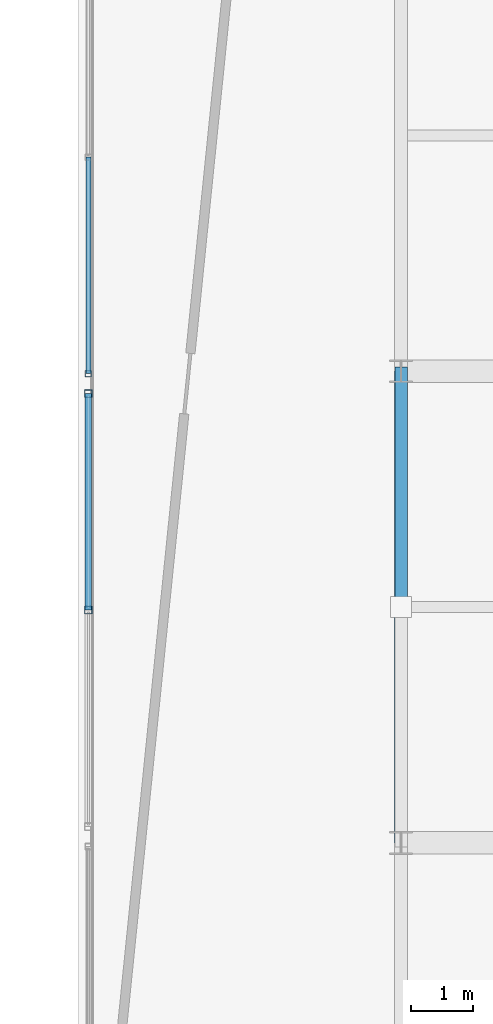
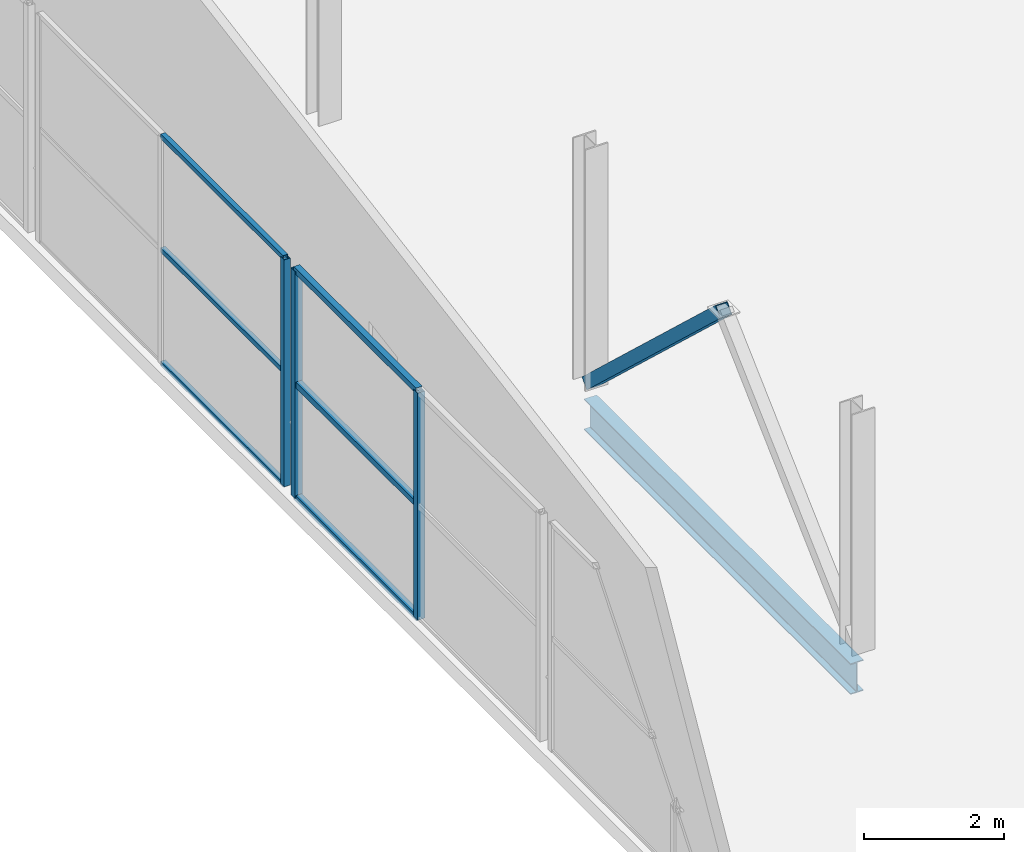
# One storey, part 147 of 217: 10 members, 1 beam, 2 elements without a shape of their own.
"""IFC4 building model written with IfcOpenShell, lengths in metres."""

from ifc_helpers import new_model, si_unit, direction, frame, origin, origin_2d, place, context, subcontext, project, spatial, hollow_rectangle, i_section, extrude, material, material_profile, profile_set, type_object, element, aggregate, save


model = new_model("IFC4")

# Units and contexts
model_context = context("Model", 3, precision=1e-05, world=origin(), true_north=direction((0.0, 1.0)))
body_context = subcontext(model_context, "Body", "Model", "MODEL_VIEW")
ifc_project = project(units=[si_unit("LENGTHUNIT", "METRE"), si_unit("AREAUNIT", "SQUARE_METRE"), si_unit("VOLUMEUNIT", "CUBIC_METRE"), si_unit("PLANEANGLEUNIT", "RADIAN"), si_unit("MASSUNIT", "GRAM", prefix="KILO")], contexts=[model_context])

# Site, building, storey
site_placement = place(None, origin())
site = spatial("IfcSite", under=ifc_project, at=site_placement, CompositionType="ELEMENT")
building_placement = place(site_placement, origin())
building = spatial("IfcBuilding", under=site, at=building_placement, Name="Zuvorla Pavilion Media Centre", CompositionType="ELEMENT")
storey_placement = place(building_placement, frame((0.0, 0.0, 9.60009765625)))
storey = spatial("IfcBuildingStorey", under=building, at=storey_placement, Name="L02", CompositionType="ELEMENT", Elevation=9.60009765625)

# Beam
ifc_material_1 = material(Name="Steel S355", Category="steel")
ifc_material_profile_1 = material_profile(ifc_material_1, i_section(OverallWidth=0.2099609375, OverallDepth=0.53662109375, WebThickness=0.0107421875, FlangeThickness=0.017333984375, FilletRadius=0.0126953125, at=origin_2d()), Name="UB 533x210x101")
ifc_profile_set_1 = profile_set([ifc_material_profile_1], Name="Steel S355")
beam_type = type_object("IfcBeamType", Name="BM-UB533", PredefinedType="BEAM", material=ifc_profile_set_1)
beam_placement = place(storey_placement, frame((159.199951171875, 59.199951171875, -0.536376953125), z_axis=(0.0, 1.0, 0.0), x_axis=(-1.0, 0.0, 0.0)))
element("IfcBeam", 1, at=beam_placement, inside=storey, type_object=beam_type, Name="L02 beam B08 973", PredefinedType="BEAM", context=body_context, shape_type="SweptSolid", body=[
    extrude(i_section(OverallWidth=0.2099609375, OverallDepth=0.53662109375, WebThickness=0.0107421875, FlangeThickness=0.017333984375, FilletRadius=0.0126953125, at=origin_2d()), origin(), (0.0, 0.0, 1.0), 7.60009765625),
])

# Curtain wall, member
ifc_material_2 = material(Name="Unitised anodised aluminium and solar glass curtain wall", Category="aluminium")
curtain_wall_type_1 = type_object("IfcCurtainWallType", Name="CW-SYS-57", PredefinedType="USERDEFINED", material=ifc_material_2)
curtain_wall_1_placement = place(storey_placement, origin())
curtain_wall_1 = element("IfcCurtainWall", 2, at=curtain_wall_1_placement, inside=storey, type_object=curtain_wall_type_1, Name="L02 curtain wall CW57 92", ObjectType="CURTAIN WALL", PredefinedType="USERDEFINED")
ifc_material_3 = material(Name="Anodised aluminium 6063-T6", Category="aluminium")
ifc_material_profile_2 = material_profile(ifc_material_3, hollow_rectangle(XDim=0.10009765625, YDim=0.10009765625, WallThickness=0.00439453125, at=origin_2d()), Name="ALU MULL 100x100")
ifc_profile_set_2 = profile_set([ifc_material_profile_2], Name="Anodised aluminium 6063-T6")
member_type_1 = type_object("IfcMemberType", Name="CW-MULL-100", PredefinedType="MULLION", material=ifc_profile_set_2)
member_1_placement = place(storey_placement, frame((154.159912109375, 66.760009765625, 0.0), z_axis=(0.0, 0.0, 1.0), x_axis=(1.0, 0.0, 0.0)))
member_1 = element("IfcMember", 3, at=member_1_placement, type_object=member_type_1, Name="CW57 mullion 1", PredefinedType="MULLION", context=body_context, shape_type="SweptSolid", body=[
    extrude(hollow_rectangle(XDim=0.10009765625, YDim=0.10009765625, WallThickness=0.00439453125, at=origin_2d()), origin(), (0.0, 0.0, 1.0), 3.949951171875),
])

# Curtain wall, members
curtain_wall_type_2 = type_object("IfcCurtainWallType", Name="CW-SYS-58", PredefinedType="USERDEFINED", material=ifc_material_2)
curtain_wall_2_placement = place(storey_placement, origin())
curtain_wall_2 = element("IfcCurtainWall", 4, at=curtain_wall_2_placement, inside=storey, type_object=curtain_wall_type_2, Name="L02 curtain wall CW58 90", ObjectType="CURTAIN WALL", PredefinedType="USERDEFINED")
ifc_material_profile_3 = material_profile(ifc_material_3, hollow_rectangle(XDim=0.1201171875, YDim=0.1201171875, WallThickness=0.0048828125, at=origin_2d()), Name="ALU MULL 120x120")
ifc_profile_set_3 = profile_set([ifc_material_profile_3], Name="Anodised aluminium 6063-T6")
member_type_2 = type_object("IfcMemberType", Name="CW-MULL-120", PredefinedType="MULLION", material=ifc_profile_set_3)
member_2_placement = place(storey_placement, frame((154.159912109375, 62.949951171875, 0.0), z_axis=(0.0, 0.0, 1.0), x_axis=(1.0, 0.0, 0.0)))
member_2 = element("IfcMember", 5, at=member_2_placement, type_object=member_type_2, Name="CW58 mullion 2", PredefinedType="MULLION", context=body_context, shape_type="SweptSolid", body=[
    extrude(hollow_rectangle(XDim=0.1201171875, YDim=0.1201171875, WallThickness=0.0048828125, at=origin_2d()), origin(), (0.0, 0.0, 1.0), 3.949951171875),
])
member_3_placement = place(storey_placement, frame((154.159912109375, 66.43994140625, 0.0), z_axis=(0.0, 0.0, 1.0), x_axis=(1.0, 0.0, 0.0)))
member_3 = element("IfcMember", 6, at=member_3_placement, type_object=member_type_2, Name="CW58 mullion 3", PredefinedType="MULLION", context=body_context, shape_type="SweptSolid", body=[
    extrude(hollow_rectangle(XDim=0.1201171875, YDim=0.1201171875, WallThickness=0.0048828125, at=origin_2d()), origin(), (0.0, 0.0, 1.0), 3.949951171875),
])
ifc_material_profile_4 = material_profile(ifc_material_3, hollow_rectangle(XDim=0.10009765625, YDim=0.10009765625, WallThickness=0.00439453125, at=origin_2d()), Name="ALU TRAN 100x100")
ifc_profile_set_4 = profile_set([ifc_material_profile_4], Name="Anodised aluminium 6063-T6")
member_type_3 = type_object("IfcMemberType", Name="CW-TRAN-100", PredefinedType="USERDEFINED", material=ifc_profile_set_4)
member_4_placement = place(storey_placement, frame((154.159912109375, 62.949951171875, 0.0), z_axis=(0.0, 1.0, 0.0), x_axis=(-1.0, 0.0, 0.0)))
member_4 = element("IfcMember", 7, at=member_4_placement, type_object=member_type_3, Name="CW58 transom 2.1", ObjectType="TRANSOM", PredefinedType="USERDEFINED", context=body_context, shape_type="SweptSolid", body=[
    extrude(hollow_rectangle(XDim=0.10009765625, YDim=0.10009765625, WallThickness=0.00439453125, at=origin_2d()), origin(), (0.0, 0.0, 1.0), 3.489990234375),
])
member_5_placement = place(storey_placement, frame((154.159912109375, 62.949951171875, 1.974853515625), z_axis=(0.0, 1.0, 0.0), x_axis=(-1.0, 0.0, 0.0)))
member_5 = element("IfcMember", 8, at=member_5_placement, type_object=member_type_3, Name="CW58 transom 2.2", ObjectType="TRANSOM", PredefinedType="USERDEFINED", context=body_context, shape_type="SweptSolid", body=[
    extrude(hollow_rectangle(XDim=0.10009765625, YDim=0.10009765625, WallThickness=0.00439453125, at=origin_2d()), origin(), (0.0, 0.0, 1.0), 3.489990234375),
])
member_6_placement = place(storey_placement, frame((154.159912109375, 62.949951171875, 3.949951171875), z_axis=(0.0, 1.0, 0.0), x_axis=(-1.0, 0.0, 0.0)))
member_6 = element("IfcMember", 9, at=member_6_placement, type_object=member_type_3, Name="CW58 transom 2.3", ObjectType="TRANSOM", PredefinedType="USERDEFINED", context=body_context, shape_type="SweptSolid", body=[
    extrude(hollow_rectangle(XDim=0.10009765625, YDim=0.10009765625, WallThickness=0.00439453125, at=origin_2d()), origin(), (0.0, 0.0, 1.0), 3.489990234375),
])
aggregate(curtain_wall_2, [member_2, member_3, member_4, member_5, member_6])

# Member
ifc_material_profile_5 = material_profile(ifc_material_3, hollow_rectangle(XDim=0.080078125, YDim=0.080078125, WallThickness=0.00390625, at=origin_2d()), Name="ALU TRAN 80x80")
ifc_profile_set_5 = profile_set([ifc_material_profile_5], Name="Anodised aluminium 6063-T6")
member_type_4 = type_object("IfcMemberType", Name="CW-TRAN-80", PredefinedType="USERDEFINED", material=ifc_profile_set_5)
member_7_placement = place(storey_placement, frame((154.159912109375, 66.760009765625, 0.0), z_axis=(0.0, 1.0, 0.0), x_axis=(-1.0, 0.0, 0.0)))
member_7 = element("IfcMember", 10, at=member_7_placement, type_object=member_type_4, Name="CW57 transom 1.1", ObjectType="TRANSOM", PredefinedType="USERDEFINED", context=body_context, shape_type="SweptSolid", body=[
    extrude(hollow_rectangle(XDim=0.080078125, YDim=0.080078125, WallThickness=0.00390625, at=origin_2d()), origin(), (0.0, 0.0, 1.0), 3.489990234375),
])

member_8_placement = place(storey_placement, frame((154.159912109375, 66.760009765625, 1.974853515625), z_axis=(0.0, 1.0, 0.0), x_axis=(-1.0, 0.0, 0.0)))
member_8 = element("IfcMember", 11, at=member_8_placement, type_object=member_type_4, Name="CW57 transom 1.2", ObjectType="TRANSOM", PredefinedType="USERDEFINED", context=body_context, shape_type="SweptSolid", body=[
    extrude(hollow_rectangle(XDim=0.080078125, YDim=0.080078125, WallThickness=0.00390625, at=origin_2d()), origin(), (0.0, 0.0, 1.0), 3.489990234375),
])

member_9_placement = place(storey_placement, frame((154.159912109375, 66.760009765625, 3.949951171875), z_axis=(0.0, 1.0, 0.0), x_axis=(-1.0, 0.0, 0.0)))
member_9 = element("IfcMember", 12, at=member_9_placement, type_object=member_type_4, Name="CW57 transom 1.3", ObjectType="TRANSOM", PredefinedType="USERDEFINED", context=body_context, shape_type="SweptSolid", body=[
    extrude(hollow_rectangle(XDim=0.080078125, YDim=0.080078125, WallThickness=0.00390625, at=origin_2d()), origin(), (0.0, 0.0, 1.0), 3.489990234375),
])

aggregate(curtain_wall_1, [member_1, member_7, member_8, member_9])

ifc_material_profile_6 = material_profile(ifc_material_1, hollow_rectangle(XDim=0.199951171875, YDim=0.199951171875, WallThickness=0.010009765625, at=origin_2d()), Name="SHS 200x200x10")
ifc_profile_set_6 = profile_set([ifc_material_profile_6], Name="Steel S355")
member_type_5 = type_object("IfcMemberType", Name="MEM-BRC-SHS200", PredefinedType="BRACE", material=ifc_profile_set_6)
member_10_placement = place(storey_placement, frame((159.199951171875, 66.800048828125, 0.0), z_axis=(0.0, -0.730758562833, 0.682636010511), x_axis=(1.0, 0.0, 0.0)))
element("IfcMember", 13, at=member_10_placement, inside=storey, type_object=member_type_5, Name="L02 diagonal brace BF01 854", PredefinedType="BRACE", context=body_context, shape_type="SweptSolid", body=[
    extrude(hollow_rectangle(XDim=0.199951171875, YDim=0.199951171875, WallThickness=0.010009765625, at=origin_2d()), origin(), (0.0, 0.0, 1.0), 5.2001953125),
])

save(model, "model.ifc")
